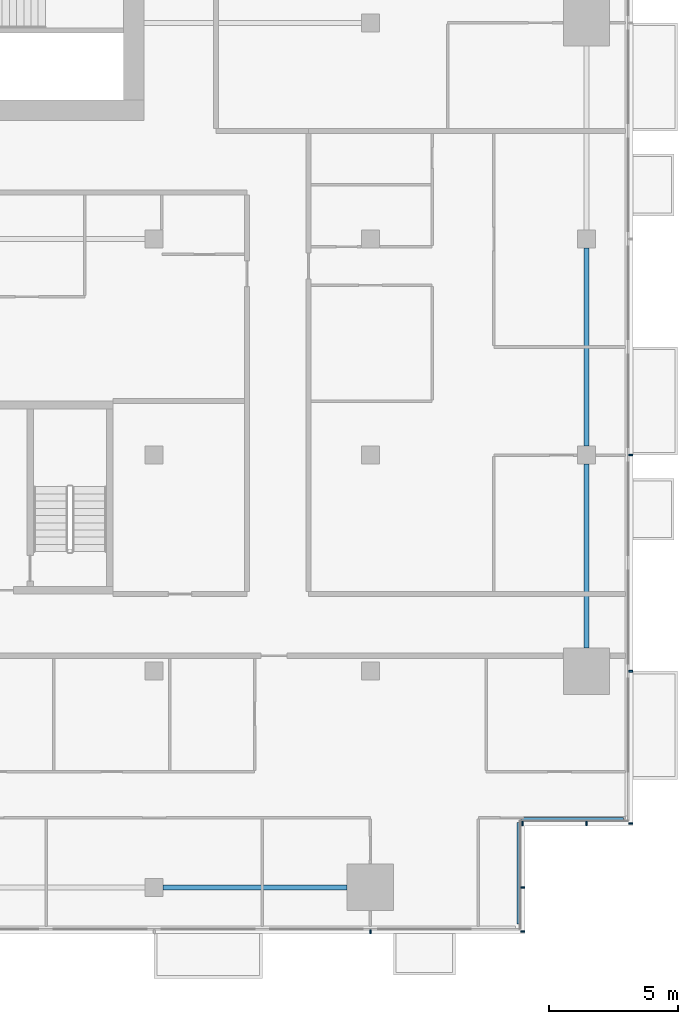
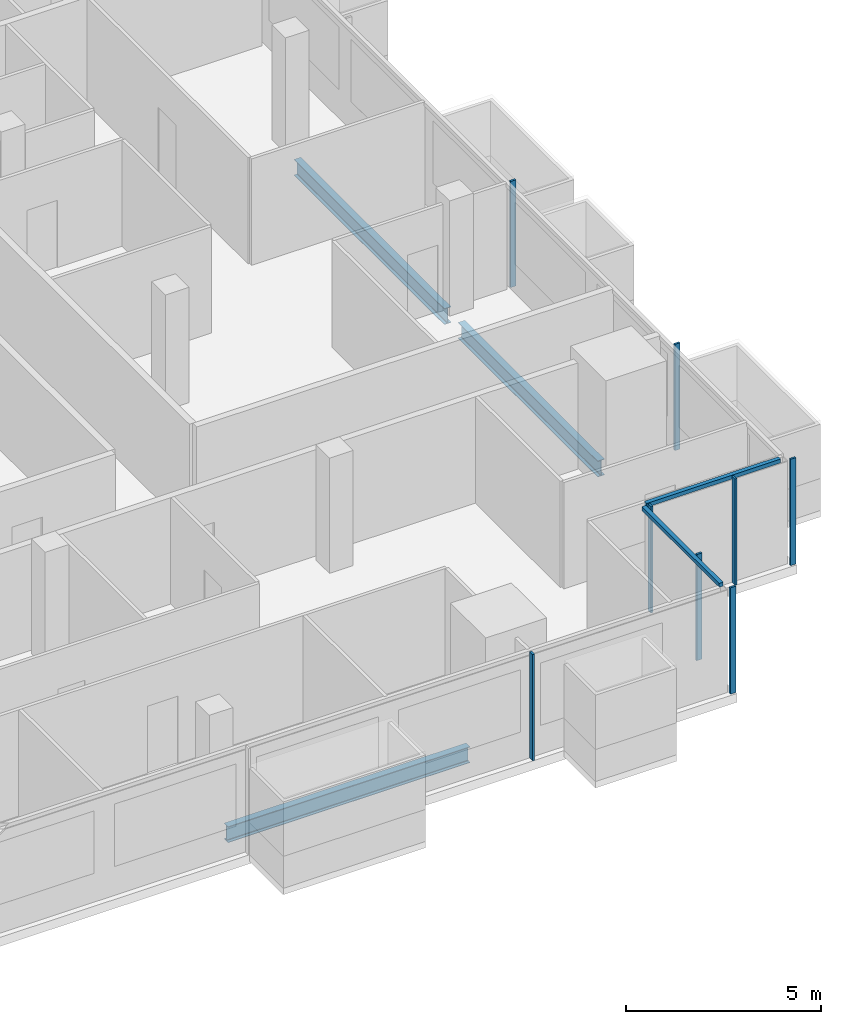
# One storey, part 11 of 28: 10 members, 3 beams, 4 elements without a shape of their own.
"""IFC4 building model written with IfcOpenShell, lengths in metres."""

from ifc_helpers import new_model, si_unit, direction, frame, origin, origin_2d, place, context, subcontext, project, spatial, rectangle, i_section, extrude, material, material_profile, profile_set, type_object, element, aggregate, save


model = new_model("IFC4")

# Units and contexts
model_context = context("Model", 3, precision=1e-05, world=origin(), true_north=direction((0.0, 1.0)))
body_context = subcontext(model_context, "Body", "Model", "MODEL_VIEW")
ifc_project = project(units=[si_unit("LENGTHUNIT", "METRE"), si_unit("AREAUNIT", "SQUARE_METRE"), si_unit("VOLUMEUNIT", "CUBIC_METRE"), si_unit("PLANEANGLEUNIT", "RADIAN"), si_unit("MASSUNIT", "GRAM", prefix="KILO")], contexts=[model_context])

# Site, building, storey
site_placement = place(None, origin())
site = spatial("IfcSite", under=ifc_project, at=site_placement, CompositionType="ELEMENT")
building_placement = place(site_placement, origin())
building = spatial("IfcBuilding", under=site, at=building_placement, Name="Saffron Gate Tower", CompositionType="ELEMENT")
storey_placement = place(building_placement, frame((0.0, 0.0, 151.050048828125)))
storey = spatial("IfcBuildingStorey", under=building, at=storey_placement, Name="L36", CompositionType="ELEMENT", Elevation=151.050048828125)

# Beams
ifc_material_1 = material(Name="Structural steel S355", Category="steel")
ifc_material_profile_1 = material_profile(ifc_material_1, i_section(OverallWidth=0.199951171875, OverallDepth=0.5, WebThickness=0.01025390625, FlangeThickness=0.01611328125, FilletRadius=0.02099609375, at=origin_2d()))
ifc_profile_set_1 = profile_set([ifc_material_profile_1], Name="Structural steel S355")
beam_type = type_object("IfcBeamType", Name="B11 IPE 500", PredefinedType="SPANDREL", material=ifc_profile_set_1)
beam_1_placement = place(storey_placement, frame((108.949951171875, 31.800048828125, -0.530029296875), z_axis=(1.0, 0.0, 0.0), x_axis=(0.0, 1.0, 0.0)))
element("IfcBeam", 1, at=beam_1_placement, inside=storey, type_object=beam_type, Name="B11 SPANDREL BEAM", PredefinedType="SPANDREL", context=body_context, shape_type="SweptSolid", body=[
    extrude(i_section(OverallWidth=0.199951171875, OverallDepth=0.5, WebThickness=0.01025390625, FlangeThickness=0.01611328125, FilletRadius=0.02099609375, at=origin_2d()), origin(), (0.0, 0.0, 1.0), 7.150146484375),
])
beam_2_placement = place(storey_placement, frame((125.39990234375, 41.10009765625, -0.530029296875), z_axis=(0.0, 1.0, 0.0), x_axis=(-1.0, 0.0, 0.0)))
element("IfcBeam", 2, at=beam_2_placement, inside=storey, type_object=beam_type, Name="B11 SPANDREL BEAM", PredefinedType="SPANDREL", context=body_context, shape_type="SweptSolid", body=[
    extrude(i_section(OverallWidth=0.199951171875, OverallDepth=0.5, WebThickness=0.01025390625, FlangeThickness=0.01611328125, FilletRadius=0.02099609375, at=origin_2d()), origin(), (0.0, 0.0, 1.0), 7.14990234375),
])
beam_3_placement = place(storey_placement, frame((125.39990234375, 48.949951171875, -0.530029296875), z_axis=(0.0, 1.0, 0.0), x_axis=(-1.0, 0.0, 0.0)))
element("IfcBeam", 3, at=beam_3_placement, inside=storey, type_object=beam_type, Name="B11 SPANDREL BEAM", PredefinedType="SPANDREL", context=body_context, shape_type="SweptSolid", body=[
    extrude(i_section(OverallWidth=0.199951171875, OverallDepth=0.5, WebThickness=0.01025390625, FlangeThickness=0.01611328125, FilletRadius=0.02099609375, at=origin_2d()), origin(), (0.0, 0.0, 1.0), 7.699951171875),
])

# Curtain wall, member
ifc_material_2 = material(Name="Aluminium, bronze anodised", Category="aluminium")
curtain_wall_type_1 = type_object("IfcCurtainWallType", Name="CWS1 curtain wall front facade", PredefinedType="NOTDEFINED", material=ifc_material_2)
curtain_wall_1_placement = place(storey_placement, origin())
curtain_wall_1 = element("IfcCurtainWall", 4, at=curtain_wall_1_placement, inside=storey, type_object=curtain_wall_type_1, Name="CWS1 run 1", PredefinedType="NOTDEFINED")
ifc_material_profile_2 = material_profile(ifc_material_2, rectangle(XDim=0.159912109375, YDim=0.06005859375, at=origin_2d()))
ifc_profile_set_2 = profile_set([ifc_material_profile_2], Name="Aluminium, bronze anodised")
member_type_1 = type_object("IfcMemberType", Name="CWS1 mullion 60x160", PredefinedType="MULLION", material=ifc_profile_set_2)
member_1_placement = place(storey_placement, frame((117.0, 30.080078125, 0.0), z_axis=(0.0, 0.0, 1.0), x_axis=(0.0, 1.0, 0.0)))
member_1 = element("IfcMember", 5, at=member_1_placement, type_object=member_type_1, Name="CWS1 mullion 9", PredefinedType="MULLION", context=body_context, shape_type="SweptSolid", body=[
    extrude(rectangle(XDim=0.159912109375, YDim=0.06005859375, at=origin_2d()), origin(), (0.0, 0.0, 1.0), 3.320068359375),
])
aggregate(curtain_wall_1, [member_1])

# Curtain wall, members
curtain_wall_type_2 = type_object("IfcCurtainWallType", Name="CWS2 curtain wall side facades", PredefinedType="NOTDEFINED", material=ifc_material_2)
curtain_wall_2_placement = place(storey_placement, origin())
curtain_wall_2 = element("IfcCurtainWall", 6, at=curtain_wall_2_placement, inside=storey, type_object=curtain_wall_type_2, Name="CWS2 run 4", PredefinedType="NOTDEFINED")
ifc_material_profile_3 = material_profile(ifc_material_2, rectangle(XDim=0.159912109375, YDim=0.06005859375, at=origin_2d()))
ifc_profile_set_3 = profile_set([ifc_material_profile_3], Name="Aluminium, bronze anodised")
member_type_2 = type_object("IfcMemberType", Name="CWS2 mullion 60x160", PredefinedType="MULLION", material=ifc_profile_set_3)
member_2_placement = place(storey_placement, frame((127.1201171875, 34.280029296875, 0.0), z_axis=(0.0, 0.0, 1.0), x_axis=(-1.0, 0.0, 0.0)))
member_2 = element("IfcMember", 7, at=member_2_placement, type_object=member_type_2, Name="CWS2 mullion 1", PredefinedType="MULLION", context=body_context, shape_type="SweptSolid", body=[
    extrude(rectangle(XDim=0.159912109375, YDim=0.06005859375, at=origin_2d()), origin(), (0.0, 0.0, 1.0), 3.320068359375),
])
member_3_placement = place(storey_placement, frame((127.1201171875, 40.199951171875, 0.0), z_axis=(0.0, 0.0, 1.0), x_axis=(-1.0, 0.0, 0.0)))
member_3 = element("IfcMember", 8, at=member_3_placement, type_object=member_type_2, Name="CWS2 mullion 2", PredefinedType="MULLION", context=body_context, shape_type="SweptSolid", body=[
    extrude(rectangle(XDim=0.159912109375, YDim=0.06005859375, at=origin_2d()), origin(), (0.0, 0.0, 1.0), 3.320068359375),
])
member_4_placement = place(storey_placement, frame((127.1201171875, 48.60009765625, 0.0), z_axis=(0.0, 0.0, 1.0), x_axis=(-1.0, 0.0, 0.0)))
member_4 = element("IfcMember", 9, at=member_4_placement, type_object=member_type_2, Name="CWS2 mullion 3", PredefinedType="MULLION", context=body_context, shape_type="SweptSolid", body=[
    extrude(rectangle(XDim=0.159912109375, YDim=0.06005859375, at=origin_2d()), origin(), (0.0, 0.0, 1.0), 3.320068359375),
])
aggregate(curtain_wall_2, [member_2, member_3, member_4])

# Curtain wall, member
curtain_wall_type_3 = type_object("IfcCurtainWallType", Name="CWS4 curtain wall corner returns", PredefinedType="NOTDEFINED", material=ifc_material_2)
curtain_wall_3_placement = place(storey_placement, origin())
curtain_wall_3 = element("IfcCurtainWall", 10, at=curtain_wall_3_placement, inside=storey, type_object=curtain_wall_type_3, Name="CWS4 run 2", PredefinedType="NOTDEFINED")
ifc_material_profile_4 = material_profile(ifc_material_2, rectangle(XDim=0.1201171875, YDim=0.1201171875, at=origin_2d()))
ifc_profile_set_4 = profile_set([ifc_material_profile_4], Name="Aluminium, bronze anodised")
member_type_3 = type_object("IfcMemberType", Name="CWS4 head transom", PredefinedType="USERDEFINED", material=ifc_profile_set_4)
member_5_placement = place(storey_placement, frame((122.751953125, 30.367919921875, 3.260009765625), z_axis=(0.0, 1.0, 0.0), x_axis=(-1.0, 0.0, 0.0)))
member_5 = element("IfcMember", 11, at=member_5_placement, type_object=member_type_3, Name="CWS4 head transom", ObjectType="TRANSOM", PredefinedType="USERDEFINED", context=body_context, shape_type="SweptSolid", body=[
    extrude(rectangle(XDim=0.1201171875, YDim=0.1201171875, at=origin_2d()), origin(), (0.0, 0.0, 1.0), 3.9599609375),
])

curtain_wall_4_placement = place(storey_placement, origin())
curtain_wall_4 = element("IfcCurtainWall", 12, at=curtain_wall_4_placement, inside=storey, type_object=curtain_wall_type_3, Name="CWS4 run 3", PredefinedType="NOTDEFINED")
member_6_placement = place(storey_placement, frame((122.8720703125, 34.447998046875, 3.260009765625), z_axis=(1.0, 0.0, 0.0), x_axis=(0.0, 1.0, 0.0)))
member_6 = element("IfcMember", 13, at=member_6_placement, type_object=member_type_3, Name="CWS4 head transom", ObjectType="TRANSOM", PredefinedType="USERDEFINED", context=body_context, shape_type="SweptSolid", body=[
    extrude(rectangle(XDim=0.1201171875, YDim=0.1201171875, at=origin_2d()), origin(), (0.0, 0.0, 1.0), 3.9599609375),
])

# Member
ifc_material_profile_5 = material_profile(ifc_material_2, rectangle(XDim=0.159912109375, YDim=0.06005859375, at=origin_2d()))
ifc_profile_set_5 = profile_set([ifc_material_profile_5], Name="Aluminium, bronze anodised")
member_type_4 = type_object("IfcMemberType", Name="CWS4 mullion 60x160", PredefinedType="MULLION", material=ifc_profile_set_5)
member_7_placement = place(storey_placement, frame((122.919921875, 30.080078125, 0.0), z_axis=(0.0, 0.0, 1.0), x_axis=(-1.0, 0.0, 0.0)))
member_7 = element("IfcMember", 14, at=member_7_placement, type_object=member_type_4, Name="CWS4 mullion 1", PredefinedType="MULLION", context=body_context, shape_type="SweptSolid", body=[
    extrude(rectangle(XDim=0.159912109375, YDim=0.06005859375, at=origin_2d()), origin(), (0.0, 0.0, 1.0), 3.320068359375),
])

member_8_placement = place(storey_placement, frame((122.919921875, 31.800048828125, 0.0), z_axis=(0.0, 0.0, 1.0), x_axis=(-1.0, 0.0, 0.0)))
member_8 = element("IfcMember", 15, at=member_8_placement, type_object=member_type_4, Name="CWS4 mullion 2", PredefinedType="MULLION", context=body_context, shape_type="SweptSolid", body=[
    extrude(rectangle(XDim=0.159912109375, YDim=0.06005859375, at=origin_2d()), origin(), (0.0, 0.0, 1.0), 3.320068359375),
])

aggregate(curtain_wall_3, [member_7, member_8, member_5])

member_9_placement = place(storey_placement, frame((122.919921875, 34.280029296875, 0.0), z_axis=(0.0, 0.0, 1.0), x_axis=(0.0, 1.0, 0.0)))
member_9 = element("IfcMember", 16, at=member_9_placement, type_object=member_type_4, Name="CWS4 mullion 1", PredefinedType="MULLION", context=body_context, shape_type="SweptSolid", body=[
    extrude(rectangle(XDim=0.159912109375, YDim=0.06005859375, at=origin_2d()), origin(), (0.0, 0.0, 1.0), 3.320068359375),
])

member_10_placement = place(storey_placement, frame((125.39990234375, 34.280029296875, 0.0), z_axis=(0.0, 0.0, 1.0), x_axis=(0.0, 1.0, 0.0)))
member_10 = element("IfcMember", 17, at=member_10_placement, type_object=member_type_4, Name="CWS4 mullion 2", PredefinedType="MULLION", context=body_context, shape_type="SweptSolid", body=[
    extrude(rectangle(XDim=0.159912109375, YDim=0.06005859375, at=origin_2d()), origin(), (0.0, 0.0, 1.0), 3.320068359375),
])

aggregate(curtain_wall_4, [member_9, member_10, member_6])

save(model, "model.ifc")
